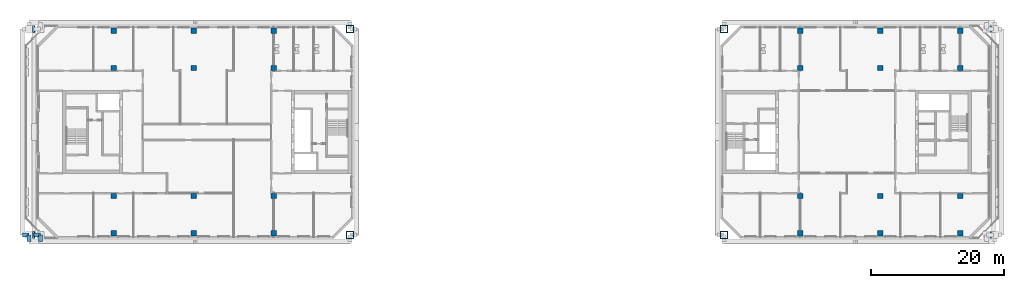
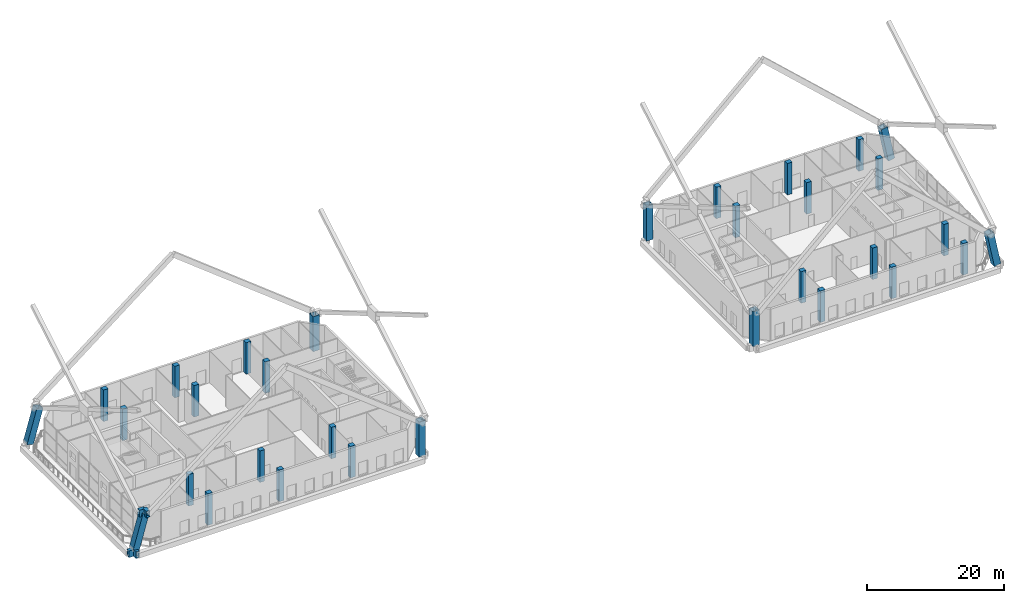
# One storey, part 1 of 20: 32 columns, 4 beams.
"""IFC4 building model written with IfcOpenShell, lengths in metres."""

from ifc_helpers import new_model, si_unit, direction, frame, origin, origin_2d, place, context, subcontext, project, spatial, rectangle, hollow_rectangle, extrude, material, material_profile, profile_set, type_object, element, save


model = new_model("IFC4")

# Units and contexts
model_context = context("Model", 3, precision=1e-05, world=origin(), true_north=direction((0.0, 1.0)))
body_context = subcontext(model_context, "Body", "Model", "MODEL_VIEW")
ifc_project = project(units=[si_unit("LENGTHUNIT", "METRE"), si_unit("AREAUNIT", "SQUARE_METRE"), si_unit("VOLUMEUNIT", "CUBIC_METRE"), si_unit("PLANEANGLEUNIT", "RADIAN"), si_unit("MASSUNIT", "GRAM", prefix="KILO")], contexts=[model_context])

# Site, building, storey
site_placement = place(None, origin())
site = spatial("IfcSite", under=ifc_project, at=site_placement, CompositionType="ELEMENT")
building_placement = place(site_placement, origin())
building = spatial("IfcBuilding", under=site, at=building_placement, Name="Tuart Gate Housing", CompositionType="ELEMENT")
storey_placement = place(building_placement, frame((0.0, 0.0, 142.300048828125)))
storey = spatial("IfcBuildingStorey", under=building, at=storey_placement, Name="L40", CompositionType="ELEMENT", Elevation=142.300048828125)

# Columns
ifc_material_1 = material(Name="Steel Grade 350", Category="steel")
ifc_material_profile_1 = material_profile(ifc_material_1, hollow_rectangle(XDim=1.10009765625, YDim=1.10009765625, WallThickness=0.06005859375, at=origin_2d()), Name="BOX 1100x1100x60")
ifc_profile_set_1 = profile_set([ifc_material_profile_1], Name="Steel Grade 350")
column_type_1 = type_object("IfcColumnType", Name="Mega column BOX 1100x1100x60 (6.1-6.2 m)", PredefinedType="COLUMN", material=ifc_profile_set_1)
column_1_placement = place(storey_placement, frame((27.34228515625, 54.550048828125, 0.1494140625), z_axis=(0.27162754988, 0.0, 0.962402449158), x_axis=(0.0, 1.0, 0.0)))
element("IfcColumn", 1, at=column_1_placement, inside=storey, type_object=column_type_1, Name="Mega column A south-west L40", PredefinedType="COLUMN", context=body_context, shape_type="SweptSolid", body=[
    extrude(hollow_rectangle(XDim=1.10009765625, YDim=1.10009765625, WallThickness=0.06005859375, at=origin_2d()), origin(), (0.0, 0.0, 1.0), 6.131591796875),
])
for number, where, z_axis, x_axis, name in (
    (2, (75.449951171875, 54.550048828125, 0.0), (0.0, 0.0, 1.0), (1.0, 0.0, 0.0), "Mega column A south-east L40"),
    (3, (75.449951171875, 85.449951171875, 0.0), (0.0, 0.0, 1.0), (1.0, 0.0, 0.0), "Mega column A north-east L40"),
):
    element("IfcColumn", number, at=place(storey_placement, frame(where, z_axis=z_axis, x_axis=x_axis)), inside=storey, type_object=column_type_1, Name=name, PredefinedType="COLUMN", context=body_context, shape_type="SweptSolid", body=[
        extrude(hollow_rectangle(XDim=1.10009765625, YDim=1.10009765625, WallThickness=0.06005859375, at=origin_2d()), origin(), (0.0, 0.0, 1.0), 6.199951171875),
    ])
column_2_placement = place(storey_placement, frame((27.34228515625, 85.449951171875, 0.1494140625), z_axis=(0.27162754988, 0.0, 0.962402449158), x_axis=(0.0, 1.0, 0.0)))
element("IfcColumn", 4, at=column_2_placement, inside=storey, type_object=column_type_1, Name="Mega column A north-west L40", PredefinedType="COLUMN", context=body_context, shape_type="SweptSolid", body=[
    extrude(hollow_rectangle(XDim=1.10009765625, YDim=1.10009765625, WallThickness=0.06005859375, at=origin_2d()), origin(), (0.0, 0.0, 1.0), 6.131591796875),
])
column_3_placement = place(storey_placement, frame((131.550048828125, 54.550048828125, 0.0), z_axis=(0.0, 0.0, 1.0), x_axis=(1.0, 0.0, 0.0)))
element("IfcColumn", 5, at=column_3_placement, inside=storey, type_object=column_type_1, Name="Mega column B south-west L40", PredefinedType="COLUMN", context=body_context, shape_type="SweptSolid", body=[
    extrude(hollow_rectangle(XDim=1.10009765625, YDim=1.10009765625, WallThickness=0.06005859375, at=origin_2d()), origin(), (0.0, 0.0, 1.0), 6.199951171875),
])
for number, where, z_axis, x_axis, name in (
    (6, (172.177978515625, 54.550048828125, 0.108642578125), (-0.19761602731, 0.0, 0.980279503892), (0.0, -1.0, 0.0), "Mega column B south-east L40"),
    (7, (172.177978515625, 85.449951171875, 0.108642578125), (-0.19761602731, 0.0, 0.980279503892), (0.0, -1.0, 0.0), "Mega column B north-east L40"),
):
    element("IfcColumn", number, at=place(storey_placement, frame(where, z_axis=z_axis, x_axis=x_axis)), inside=storey, type_object=column_type_1, Name=name, PredefinedType="COLUMN", context=body_context, shape_type="SweptSolid", body=[
        extrude(hollow_rectangle(XDim=1.10009765625, YDim=1.10009765625, WallThickness=0.06005859375, at=origin_2d()), origin(), (0.0, 0.0, 1.0), 6.10302734375),
    ])
column_4_placement = place(storey_placement, frame((131.550048828125, 85.449951171875, 0.0), z_axis=(0.0, 0.0, 1.0), x_axis=(1.0, 0.0, 0.0)))
element("IfcColumn", 8, at=column_4_placement, inside=storey, type_object=column_type_1, Name="Mega column B north-west L40", PredefinedType="COLUMN", context=body_context, shape_type="SweptSolid", body=[
    extrude(hollow_rectangle(XDim=1.10009765625, YDim=1.10009765625, WallThickness=0.06005859375, at=origin_2d()), origin(), (0.0, 0.0, 1.0), 6.199951171875),
])
ifc_material_2 = material(Name="Concrete C50", Category="concrete")
ifc_material_profile_2 = material_profile(ifc_material_2, rectangle(XDim=0.800048828125, YDim=0.800048828125, at=origin_2d()), Name="RC column 800 x 800 (5.6-6.7 m)")
ifc_profile_set_2 = profile_set([ifc_material_profile_2], Name="Concrete C50")
column_type_2 = type_object("IfcColumnType", Name="RC column 800 x 800 (5.6-6.7 m)", PredefinedType="COLUMN", material=ifc_profile_set_2)
for number, where, z_axis, x_axis, name in (
    (9, (40.0, 54.800048828125, 0.0), (0.0, 0.0, 1.0), (1.0, 0.0, 0.0), "RC column 9 L40"),
    (10, (40.0, 60.39990234375, 0.0), (0.0, 0.0, 1.0), (1.0, 0.0, 0.0), "RC column 12 L40"),
    (11, (40.0, 79.60009765625, 0.0), (0.0, 0.0, 1.0), (1.0, 0.0, 0.0), "RC column 13 L40"),
    (12, (40.0, 85.199951171875, 0.0), (0.0, 0.0, 1.0), (1.0, 0.0, 0.0), "RC column 16 L40"),
    (13, (52.0, 54.800048828125, 0.0), (0.0, 0.0, 1.0), (1.0, 0.0, 0.0), "RC column 17 L40"),
    (14, (52.0, 60.39990234375, 0.0), (0.0, 0.0, 1.0), (1.0, 0.0, 0.0), "RC column 18 L40"),
    (15, (52.0, 79.60009765625, 0.0), (0.0, 0.0, 1.0), (1.0, 0.0, 0.0), "RC column 19 L40"),
    (16, (52.0, 85.199951171875, 0.0), (0.0, 0.0, 1.0), (1.0, 0.0, 0.0), "RC column 20 L40"),
    (17, (64.0, 54.800048828125, 0.0), (0.0, 0.0, 1.0), (1.0, 0.0, 0.0), "RC column 21 L40"),
    (18, (64.0, 60.39990234375, 0.0), (0.0, 0.0, 1.0), (1.0, 0.0, 0.0), "RC column 22 L40"),
    (19, (64.0, 79.60009765625, 0.0), (0.0, 0.0, 1.0), (1.0, 0.0, 0.0), "RC column 23 L40"),
    (20, (64.0, 85.199951171875, 0.0), (0.0, 0.0, 1.0), (1.0, 0.0, 0.0), "RC column 24 L40"),
    (21, (143.0, 54.800048828125, 0.0), (0.0, 0.0, 1.0), (1.0, 0.0, 0.0), "RC column 25 L40"),
    (22, (143.0, 60.39990234375, 0.0), (0.0, 0.0, 1.0), (1.0, 0.0, 0.0), "RC column 26 L40"),
    (23, (143.0, 79.60009765625, 0.0), (0.0, 0.0, 1.0), (1.0, 0.0, 0.0), "RC column 27 L40"),
    (24, (143.0, 85.199951171875, 0.0), (0.0, 0.0, 1.0), (1.0, 0.0, 0.0), "RC column 28 L40"),
    (25, (155.0, 54.800048828125, 0.0), (0.0, 0.0, 1.0), (1.0, 0.0, 0.0), "RC column 29 L40"),
    (26, (155.0, 60.39990234375, 0.0), (0.0, 0.0, 1.0), (1.0, 0.0, 0.0), "RC column 30 L40"),
    (27, (155.0, 79.60009765625, 0.0), (0.0, 0.0, 1.0), (1.0, 0.0, 0.0), "RC column 31 L40"),
    (28, (155.0, 85.199951171875, 0.0), (0.0, 0.0, 1.0), (1.0, 0.0, 0.0), "RC column 32 L40"),
    (29, (167.0, 54.800048828125, 0.0), (0.0, 0.0, 1.0), (1.0, 0.0, 0.0), "RC column 33 L40"),
    (30, (167.0, 60.39990234375, 0.0), (0.0, 0.0, 1.0), (1.0, 0.0, 0.0), "RC column 36 L40"),
    (31, (167.0, 79.60009765625, 0.0), (0.0, 0.0, 1.0), (1.0, 0.0, 0.0), "RC column 37 L40"),
    (32, (167.0, 85.199951171875, 0.0), (0.0, 0.0, 1.0), (1.0, 0.0, 0.0), "RC column 40 L40"),
):
    element("IfcColumn", number, at=place(storey_placement, frame(where, z_axis=z_axis, x_axis=x_axis)), inside=storey, type_object=column_type_2, Name=name, PredefinedType="COLUMN", context=body_context, shape_type="SweptSolid", body=[
        extrude(rectangle(XDim=0.800048828125, YDim=0.800048828125, at=origin_2d()), origin(), (0.0, 0.0, 1.0), 5.599853515625),
    ])

# Beams
ifc_material_3 = material(Name="Steel Grade 350", Category="steel")
ifc_material_profile_3 = material_profile(ifc_material_3, hollow_rectangle(XDim=0.60009765625, YDim=1.199951171875, WallThickness=0.0400390625, at=origin_2d()), Name="BOX 1200x600x40")
ifc_profile_set_3 = profile_set([ifc_material_profile_3], Name="Steel Grade 350")
beam_type = type_object("IfcBeamType", Name="Brace shoe BOX 1200x600x40", PredefinedType="BEAM", material=ifc_profile_set_3)
for number, where, z_axis, x_axis, name in (
    (33, (27.300048828125, 54.550048828125, -0.400146484375), (0.0, -1.0, 0.0), (1.0, 0.0, 0.0), "Mega tie beam A node 5 south shoe 0 L40"),
    (34, (27.300048828125, 54.550048828125, -0.400146484375), (-1.0, 0.0, 0.0), (0.0, -1.0, 0.0), "Mega tie beam A node 5 west shoe 0 L40"),
    (35, (29.050048828125, 54.550048828125, 6.199951171875), (0.0, -1.0, 0.0), (1.0, 0.0, 0.0), "Mega brace shoe A zone 6 south chevron 1"),
    (36, (29.050048828125, 54.550048828125, 6.199951171875), (-1.0, 0.0, 0.0), (0.0, -1.0, 0.0), "Mega brace shoe A zone 6 west cross 1"),
):
    element("IfcBeam", number, at=place(storey_placement, frame(where, z_axis=z_axis, x_axis=x_axis)), inside=storey, type_object=beam_type, Name=name, PredefinedType="BEAM", context=body_context, shape_type="SweptSolid", body=[
        extrude(hollow_rectangle(XDim=0.60009765625, YDim=1.199951171875, WallThickness=0.0400390625, at=origin_2d()), origin(), (0.0, 0.0, 1.0), 1.0),
    ])

save(model, "model.ifc")
